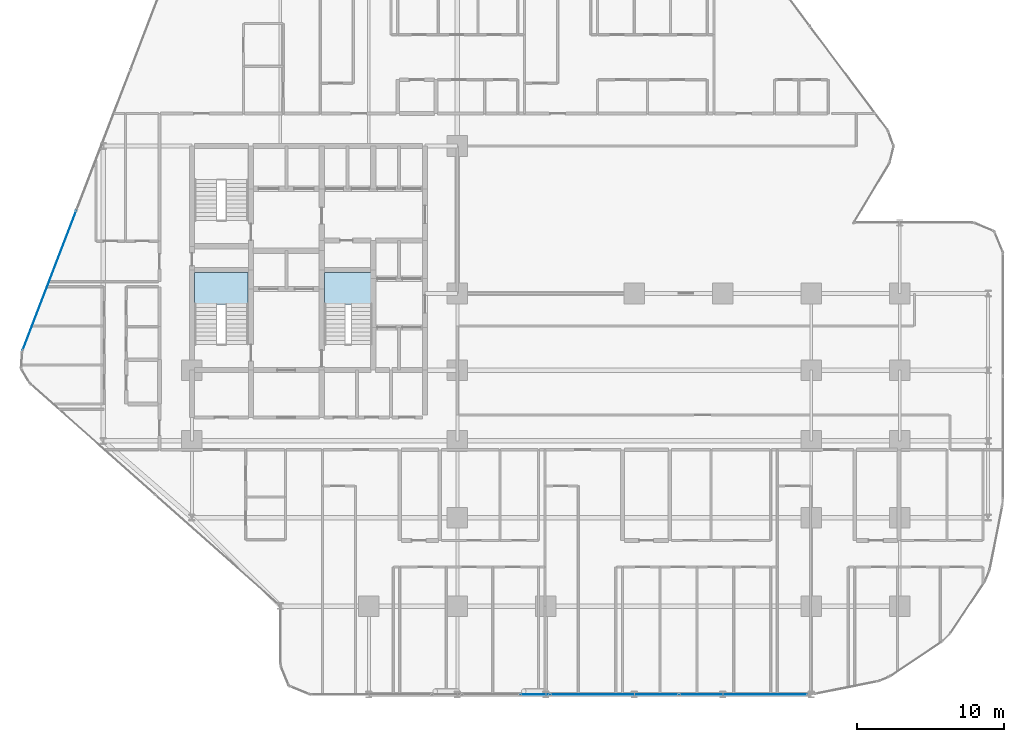
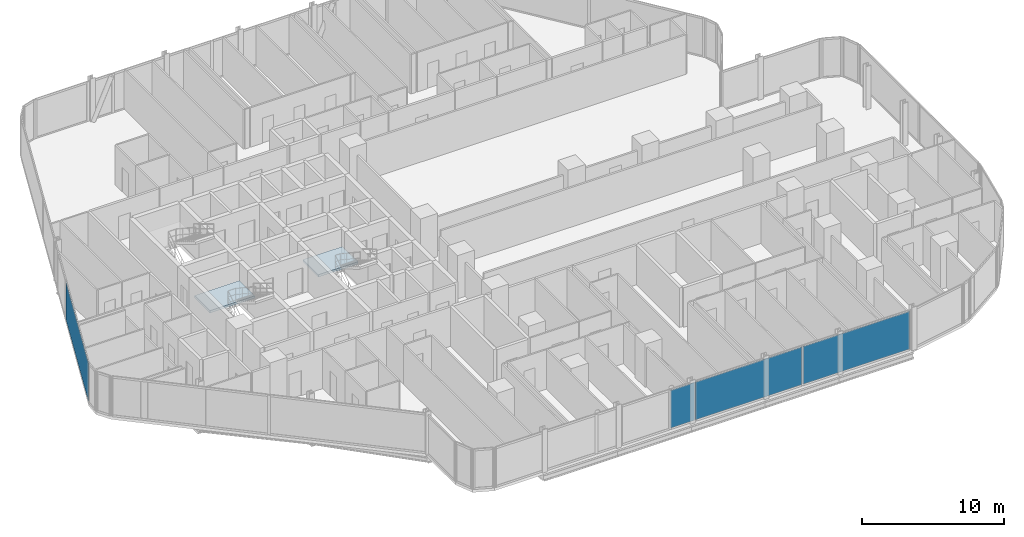
# One storey, part 21 of 33: 4 plates, 2 slabs, 5 elements without a shape of their own.
"""IFC4 building model written with IfcOpenShell, lengths in metres."""

import ifcopenshell
import ifcopenshell.guid

model = None  # the IFC model being written
_history = None  # IfcOwnerHistory: only IFC2X3 demands one
_inside = {}  # id of a spatial element -> (the spatial element, [elements in it])
_under = {}  # id of a project, library or spatial element -> (it, [spatial elements below it])
_declared = {}  # id of a project -> (the project, [libraries it declares])
_typed = {}  # id of a type object -> (the type object, [elements of that type])
_made_of = {}  # id of a material, layer set ... -> (it, [elements and type objects made of it])


def new_model(schema):
    """Start an empty IFC model of exactly this schema.

    Asked for "IFC4X3", IfcOpenShell would pick the latest addendum, in which some entities
    have other attributes; the version numbers below select the first issue.
    IFC2X3 requires an IfcOwnerHistory on every rooted entity: one is made here for all.
    """
    global model, _history
    if schema == "IFC4X3":
        model = ifcopenshell.file(schema_version=(4, 3, 0, 0))
    else:
        model = ifcopenshell.file(schema=schema)
    _inside.clear()
    _under.clear()
    _declared.clear()
    _typed.clear()
    _made_of.clear()
    _history = None
    if model.schema == "IFC2X3":
        org = make("IfcOrganization", Name="unknown")
        user = make(
            "IfcPersonAndOrganization",
            ThePerson=make("IfcPerson", FamilyName="unknown"),
            TheOrganization=org,
        )
        app = make(
            "IfcApplication",
            ApplicationDeveloper=org,
            Version="unknown",
            ApplicationFullName="unknown",
            ApplicationIdentifier="unknown",
        )
        _history = make(
            "IfcOwnerHistory",
            OwningUser=user,
            OwningApplication=app,
            ChangeAction="ADDED",
            CreationDate=0,
        )
    return model


def make(cls, **values):
    """One entity of the class cls with the attributes given. An attribute that is None is left unset."""
    return model.create_entity(
        cls, **{name: value for name, value in values.items() if value is not None}
    )


def rooted(cls, **values):
    """An entity with a GlobalId (a new one), such as an element, a storey or a relation."""
    return make(cls, GlobalId=ifcopenshell.guid.new(), OwnerHistory=_history, **values)


def si_unit(unit_type, name, prefix=None):
    """IfcSIUnit, for example si_unit("LENGTHUNIT", "METRE", prefix="MILLI")."""
    return make("IfcSIUnit", UnitType=unit_type, Prefix=prefix, Name=name)


def assignment(units):
    """IfcUnitAssignment: the units of a project."""
    return None if units is None else make("IfcUnitAssignment", Units=units)


def point(xyz):
    """IfcCartesianPoint."""
    return None if xyz is None else make("IfcCartesianPoint", Coordinates=xyz)


def direction(xyz):
    """IfcDirection."""
    return None if xyz is None else make("IfcDirection", DirectionRatios=xyz)


def frame(location, z_axis=None, x_axis=None):
    """IfcAxis2Placement3D, a coordinate frame: its origin and axes. An axis left out is left unset."""
    return make(
        "IfcAxis2Placement3D",
        Location=point(location),
        Axis=direction(z_axis),
        RefDirection=direction(x_axis),
    )


def frame_2d(location, x_axis=None):
    """IfcAxis2Placement2D, a coordinate frame in the plane: its origin and x axis."""
    return make(
        "IfcAxis2Placement2D", Location=point(location), RefDirection=direction(x_axis)
    )


def origin():
    """The frame at (0, 0, 0) with its axes left unset."""
    return frame((0.0, 0.0, 0.0))


def origin_2d():
    """The frame at (0, 0) in the plane with its x axis left unset."""
    return frame_2d((0.0, 0.0))


def place(relative_to, where):
    """IfcLocalPlacement: puts the frame where relative to a parent placement (None: the world)."""
    return make(
        "IfcLocalPlacement", PlacementRelTo=relative_to, RelativePlacement=where
    )


def context(
    kind, dimensions, precision=None, world=None, true_north=None, identifier=None
):
    """IfcGeometricRepresentationContext, for example the 3D "Model" context."""
    return make(
        "IfcGeometricRepresentationContext",
        ContextIdentifier=identifier,
        ContextType=kind,
        CoordinateSpaceDimension=dimensions,
        Precision=precision,
        WorldCoordinateSystem=world,
        TrueNorth=true_north,
    )


def subcontext(parent, identifier, kind, view, scale=None):
    """IfcGeometricRepresentationSubContext, for example "Body" below "Model"."""
    return make(
        "IfcGeometricRepresentationSubContext",
        ContextIdentifier=identifier,
        ContextType=kind,
        ParentContext=parent,
        TargetScale=scale,
        TargetView=view,
    )


def project(units=None, contexts=None):
    """IfcProject with its units and contexts."""
    return rooted(
        "IfcProject",
        Name="project",
        RepresentationContexts=contexts,
        UnitsInContext=assignment(units),
    )


def spatial(cls, under=None, at=None, **own):
    """A site, building, storey or space (cls), placed at a placement, below another one or the project."""
    s = rooted(cls, ObjectPlacement=at, **own)
    if under is not None:
        _under.setdefault(under.id(), (under, []))[1].append(s)
    return s


def polyline(points):
    """IfcPolyline through the points."""
    return make("IfcPolyline", Points=[point(p) for p in points])


def profile(cls, at=None, kind="AREA", **sizes):
    """A parametric profile (cls). Its sizes go by their IFC names, for example OverallWidth=200.0."""
    return make(cls, ProfileType=kind, Position=at, **sizes)


def rectangle(**sizes):
    """IfcRectangleProfileDef."""
    return profile("IfcRectangleProfileDef", **sizes)


def outline(outer, holes=None, kind="AREA"):
    """IfcArbitraryClosedProfileDef: a profile drawn as a closed curve; with holes, ...WithVoids."""
    if holes is None:
        return make("IfcArbitraryClosedProfileDef", ProfileType=kind, OuterCurve=outer)
    return make(
        "IfcArbitraryProfileDefWithVoids",
        ProfileType=kind,
        OuterCurve=outer,
        InnerCurves=holes,
    )


def extrude(swept, where, along, depth):
    """IfcExtrudedAreaSolid: the profile swept, set in the frame where, extruded along a direction by depth."""
    return make(
        "IfcExtrudedAreaSolid",
        SweptArea=swept,
        Position=where,
        ExtrudedDirection=direction(along),
        Depth=depth,
    )


def shape(context_of_items, identifier, shape_type, items):
    """IfcShapeRepresentation: the items that make up one representation, for example the "Body"."""
    return make(
        "IfcShapeRepresentation",
        ContextOfItems=context_of_items,
        RepresentationIdentifier=identifier,
        RepresentationType=shape_type,
        Items=items,
    )


def material(Name=None, Category=None):
    """IfcMaterial."""
    return make("IfcMaterial", Name=Name, Category=Category)


def layer(
    of_material, thickness, ventilated=None, Name=None, Category=None, Priority=None
):
    """IfcMaterialLayer: one layer of a wall or slab, of a material (None: an air gap)."""
    return make(
        "IfcMaterialLayer",
        Material=of_material,
        LayerThickness=thickness,
        IsVentilated=ventilated,
        Name=Name,
        Category=Category,
        Priority=Priority,
    )


def layer_set(layers, Name=None):
    """IfcMaterialLayerSet."""
    return make("IfcMaterialLayerSet", MaterialLayers=layers, LayerSetName=Name)


def made_of(thing, what):
    """Note that an element or type object is made of a material, layer set ...; save() writes the relation."""
    if what is not None:
        _made_of.setdefault(what.id(), (what, []))[1].append(thing)
    return thing


def type_object(cls, material=None, **own):
    """A type object (cls), such as IfcWallType, which elements share."""
    return made_of(rooted(cls, **own), material)


def element(
    cls,
    number,
    at=None,
    inside=None,
    cuts=None,
    type_object=None,
    material=None,
    context=None,
    identifier="Body",
    shape_type=None,
    held_by="IfcProductDefinitionShape",
    body=None,
    shapes=None,
    **own,
):
    """One element of the class cls, such as IfcWall. Its Tag is "e" and its number.

    at: its placement. inside: the storey or other place that contains it. cuts: it is an
    opening in that element (IfcRelVoidsElement). A single representation is given by context,
    identifier, shape_type and body (its items); several are given by shapes. held_by: the class
    of the entity that holds the representations. save() writes the other relations.
    """
    e = rooted(cls, Tag="e%d" % number, ObjectPlacement=at, **own)
    if body is not None:
        shapes = [shape(context, identifier, shape_type, body)]
    if shapes is not None:
        e.Representation = make(held_by, Representations=shapes)
    if inside is not None:
        _inside.setdefault(inside.id(), (inside, []))[1].append(e)
    if cuts is not None:
        rooted(
            "IfcRelVoidsElement", RelatingBuildingElement=cuts, RelatedOpeningElement=e
        )
    if type_object is not None:
        _typed.setdefault(type_object.id(), (type_object, []))[1].append(e)
    return made_of(e, material)


def aggregate(whole, parts):
    """IfcRelAggregates: a whole, such as a stair, and the parts it consists of."""
    return rooted("IfcRelAggregates", RelatingObject=whole, RelatedObjects=parts)


def save(model, path):
    """Write the relations noted so far, then the file.

    IfcRelAggregates (storeys below a building ...), IfcRelContainedInSpatialStructure (elements
    in a storey), IfcRelDefinesByType, IfcRelAssociatesMaterial and IfcRelDeclares: one each for
    every whole, place, type object, material and project.
    """
    for whole, parts in _under.values():
        aggregate(whole, parts)
    for where, things in _inside.values():
        rooted(
            "IfcRelContainedInSpatialStructure",
            RelatedElements=things,
            RelatingStructure=where,
        )
    for kind, things in _typed.values():
        rooted("IfcRelDefinesByType", RelatedObjects=things, RelatingType=kind)
    for what, things in _made_of.values():
        rooted("IfcRelAssociatesMaterial", RelatedObjects=things, RelatingMaterial=what)
    for by, libraries in _declared.values():
        rooted("IfcRelDeclares", RelatingContext=by, RelatedDefinitions=libraries)
    model.write(path)


model = new_model("IFC4")

# Units and contexts
model_context = context("Model", 3, precision=1e-05, world=origin(), true_north=direction((0.0, 1.0)))
body_context = subcontext(model_context, "Body", "Model", "MODEL_VIEW")
ifc_project = project(units=[si_unit("LENGTHUNIT", "METRE"), si_unit("AREAUNIT", "SQUARE_METRE"), si_unit("VOLUMEUNIT", "CUBIC_METRE"), si_unit("PLANEANGLEUNIT", "RADIAN"), si_unit("MASSUNIT", "GRAM", prefix="KILO")], contexts=[model_context])

# Site, building, storey
site_placement = place(None, origin())
site = spatial("IfcSite", under=ifc_project, at=site_placement, CompositionType="ELEMENT")
building_placement = place(site_placement, origin())
building = spatial("IfcBuilding", under=site, at=building_placement, Name="Keshet Zoharim Tower", CompositionType="ELEMENT")
storey_placement = place(building_placement, frame((0.0, 0.0, 35.10009765625)))
storey = spatial("IfcBuildingStorey", under=building, at=storey_placement, Name="L07", CompositionType="ELEMENT", Elevation=35.10009765625)

# Curtain wall, plate
ifc_material_1 = material(Name="Aluminium 6063-T6", Category="aluminium")
ifc_layer_1 = layer(ifc_material_1, 0.179931640625)
ifc_layer_set_1 = layer_set([ifc_layer_1], Name="Aluminium 6063-T6")
curtain_wall_type = type_object("IfcCurtainWallType", Name="CW-SYS-01", PredefinedType="NOTDEFINED", material=ifc_layer_set_1)
curtain_wall_1_placement = place(storey_placement, origin())
curtain_wall_1 = element("IfcCurtainWall", 1, at=curtain_wall_1_placement, inside=storey, type_object=curtain_wall_type, Name="L07 Unitised Curtain Wall 04", PredefinedType="NOTDEFINED")
ifc_material_2 = material(Name="Insulated Low-E Clear Glass", Category="glass")
ifc_layer_2 = layer(ifc_material_2, 0.035888671875)
ifc_layer_set_2 = layer_set([ifc_layer_2], Name="Insulated Low-E Clear Glass")
plate_type_1 = type_object("IfcPlateType", Name="CWP-01", PredefinedType="CURTAIN_PANEL", material=ifc_layer_set_2)
plate_1_placement = place(storey_placement, frame((5.33837890625, 28.7802734375, 0.06982421875), z_axis=(0.0, 0.0, 1.0), x_axis=(0.358990003907, 0.933341404361, 0.0)))
plate_1 = element("IfcPlate", 2, at=plate_1_placement, type_object=plate_type_1, Name="CW-01 panel 1.1", PredefinedType="CURTAIN_PANEL", context=body_context, shape_type="SweptSolid", body=[
    extrude(rectangle(XDim=10.1181640625, YDim=0.035888671875, at=origin_2d()), origin(), (0.0, 0.0, 1.0), 3.2451171875),
])
aggregate(curtain_wall_1, [plate_1])

# Curtain wall, plates
curtain_wall_2_placement = place(storey_placement, origin())
curtain_wall_2 = element("IfcCurtainWall", 3, at=curtain_wall_2_placement, inside=storey, type_object=curtain_wall_type, Name="L07 Unitised Curtain Wall 26", PredefinedType="NOTDEFINED")
plate_2_placement = place(storey_placement, frame((52.400390625, 0.699951171875, 0.06982421875), z_axis=(0.0, 0.0, 1.0), x_axis=(-1.0, 0.0, 0.0)))
plate_2 = element("IfcPlate", 4, at=plate_2_placement, type_object=plate_type_1, Name="CW-01 panel 1.1", PredefinedType="CURTAIN_PANEL", context=body_context, shape_type="SweptSolid", body=[
    extrude(rectangle(XDim=8.665283203125, YDim=0.035888671875, at=origin_2d()), origin(), (0.0, 0.0, 1.0), 3.2451171875),
])
plate_3_placement = place(storey_placement, frame((43.665283203125, 0.699951171875, 0.06982421875), z_axis=(0.0, 0.0, 1.0), x_axis=(-1.0, 0.0, 0.0)))
plate_3 = element("IfcPlate", 5, at=plate_3_placement, type_object=plate_type_1, Name="CW-01 panel 2.1", PredefinedType="CURTAIN_PANEL", context=body_context, shape_type="SweptSolid", body=[
    extrude(rectangle(XDim=8.665283203125, YDim=0.035888671875, at=origin_2d()), origin(), (0.0, 0.0, 1.0), 3.2451171875),
])
aggregate(curtain_wall_2, [plate_2, plate_3])

# Curtain wall, plate
curtain_wall_3_placement = place(storey_placement, origin())
curtain_wall_3 = element("IfcCurtainWall", 6, at=curtain_wall_3_placement, inside=storey, type_object=curtain_wall_type, Name="L07 Unitised Curtain Wall 26 Part 2", PredefinedType="NOTDEFINED")
ifc_material_3 = material(Name="Insulated Aluminium Spandrel Panel", Category="aluminium")
ifc_layer_3 = layer(ifc_material_3, 0.035888671875)
ifc_layer_set_3 = layer_set([ifc_layer_3], Name="Insulated Aluminium Spandrel Panel")
plate_type_2 = type_object("IfcPlateType", Name="CWP-04", PredefinedType="CURTAIN_PANEL", material=ifc_layer_set_3)
plate_4_placement = place(storey_placement, frame((38.284912109375, 0.699951171875, 0.06982421875), z_axis=(0.0, 0.0, 1.0), x_axis=(-1.0, 0.0, 0.0)))
plate_4 = element("IfcPlate", 7, at=plate_4_placement, type_object=plate_type_2, Name="CW-01 spandrel panel 1.1", PredefinedType="CURTAIN_PANEL", context=body_context, shape_type="SweptSolid", body=[
    extrude(rectangle(XDim=1.955078125, YDim=0.035888671875, at=origin_2d()), origin(), (0.0, 0.0, 1.0), 3.2451171875),
])
aggregate(curtain_wall_3, [plate_4])

# Stair, slab
ifc_material_4 = material(Name="Concrete C50/60", Category="concrete")
stair_type = type_object("IfcStairType", Name="STR-EXIT-135", PredefinedType="HALF_TURN_STAIR", material=ifc_material_4)
stair_1_placement = place(storey_placement, origin())
stair_1 = element("IfcStair", 8, at=stair_1_placement, inside=storey, type_object=stair_type, Name="L07 Enclosed Exit Stair ST-01", PredefinedType="HALF_TURN_STAIR")
ifc_layer_4 = layer(ifc_material_4, 0.199951171875)
ifc_layer_set_4 = layer_set([ifc_layer_4], Name="Concrete C50/60")
slab_type = type_object("IfcSlabType", Name="SLB-LND-200", PredefinedType="LANDING", material=ifc_layer_set_4)
slab_1_placement = place(storey_placement, frame((0.0, 0.0, 1.64990234375)))
slab_1 = element("IfcSlab", 9, at=slab_1_placement, type_object=slab_type, Name="ST-01 landing 1", PredefinedType="LANDING", context=body_context, shape_type="SweptSolid", body=[
    extrude(outline(polyline([(15.179931640625, 27.159912109375), (18.820068359375, 27.159912109375), (18.820068359375, 29.320068359375), (15.179931640625, 29.320068359375), (15.179931640625, 27.159912109375)])), origin(), (0.0, 0.0, 1.0), 0.199951171875),
])
aggregate(stair_1, [slab_1])

stair_2_placement = place(storey_placement, origin())
stair_2 = element("IfcStair", 10, at=stair_2_placement, inside=storey, type_object=stair_type, Name="L07 Enclosed Exit Stair ST-03", PredefinedType="HALF_TURN_STAIR")
slab_2_placement = place(storey_placement, frame((0.0, 0.0, 1.64990234375)))
slab_2 = element("IfcSlab", 11, at=slab_2_placement, type_object=slab_type, Name="ST-03 landing 1", PredefinedType="LANDING", context=body_context, shape_type="SweptSolid", body=[
    extrude(outline(polyline([(23.97998046875, 27.159912109375), (27.219970703125, 27.159912109375), (27.219970703125, 29.320068359375), (23.97998046875, 29.320068359375), (23.97998046875, 27.159912109375)])), origin(), (0.0, 0.0, 1.0), 0.199951171875),
])
aggregate(stair_2, [slab_2])

save(model, "model.ifc")
